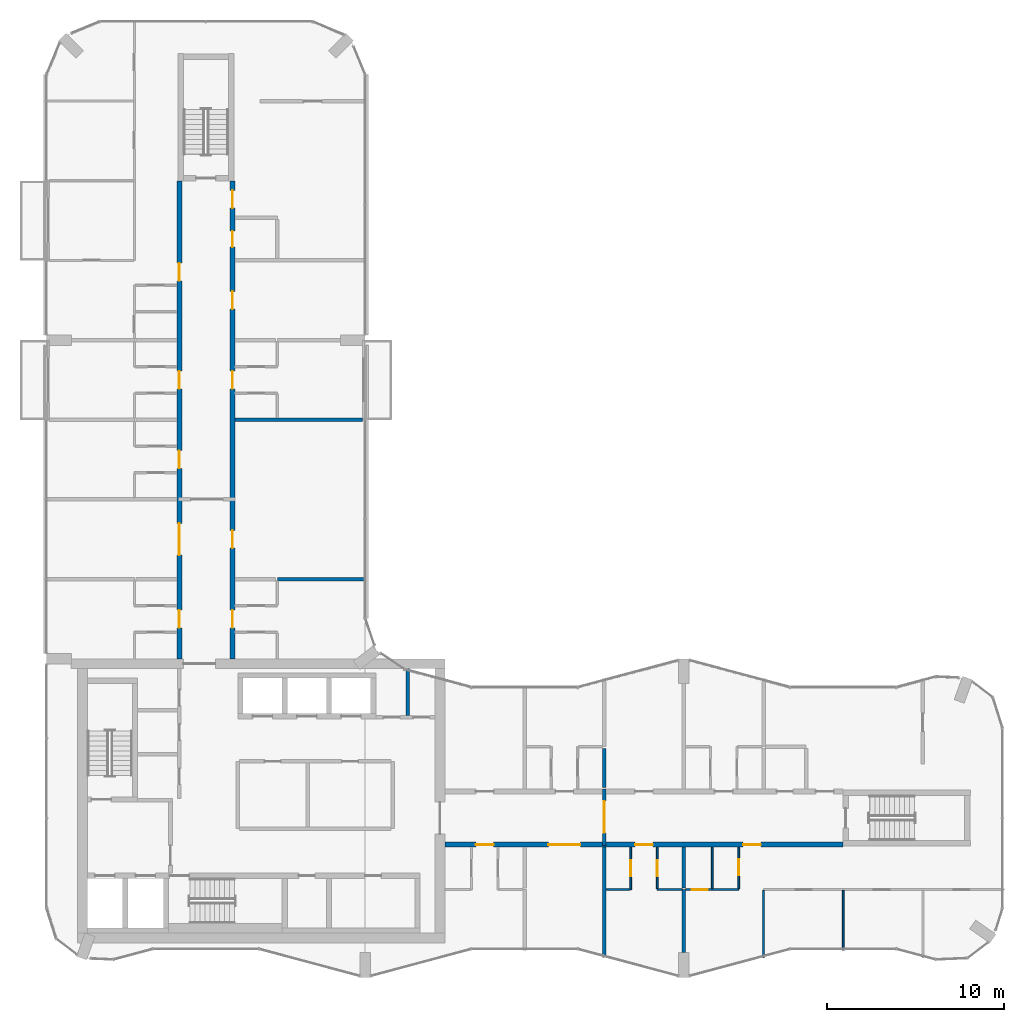
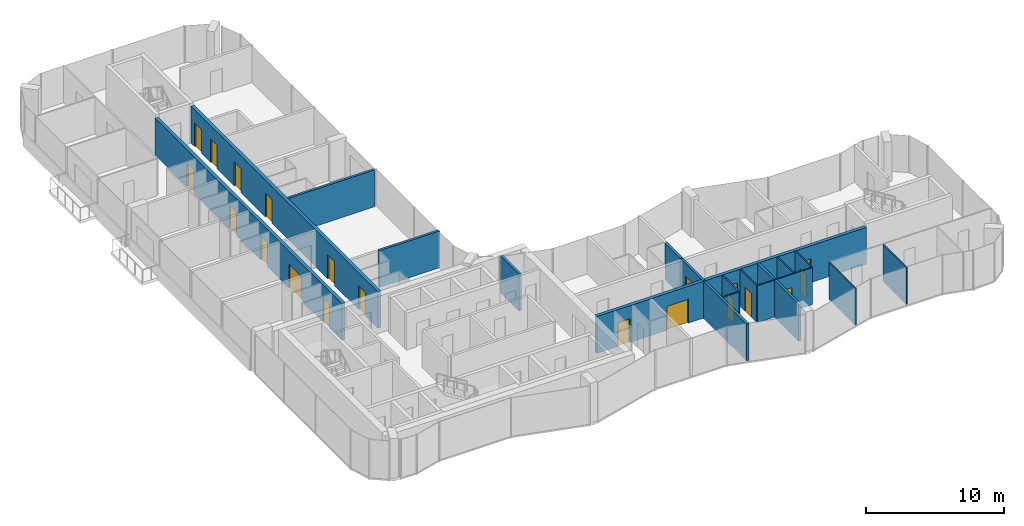
# One storey, part 11 of 15: 20 doors, 20 walls, 20 openings.
"""IFC4 building model written with IfcOpenShell, lengths in metres."""

import ifcopenshell
import ifcopenshell.guid

model = None  # the IFC model being written
_history = None  # IfcOwnerHistory: only IFC2X3 demands one
_inside = {}  # id of a spatial element -> (the spatial element, [elements in it])
_under = {}  # id of a project, library or spatial element -> (it, [spatial elements below it])
_declared = {}  # id of a project -> (the project, [libraries it declares])
_typed = {}  # id of a type object -> (the type object, [elements of that type])
_made_of = {}  # id of a material, layer set ... -> (it, [elements and type objects made of it])


def new_model(schema):
    """Start an empty IFC model of exactly this schema.

    Asked for "IFC4X3", IfcOpenShell would pick the latest addendum, in which some entities
    have other attributes; the version numbers below select the first issue.
    IFC2X3 requires an IfcOwnerHistory on every rooted entity: one is made here for all.
    """
    global model, _history
    if schema == "IFC4X3":
        model = ifcopenshell.file(schema_version=(4, 3, 0, 0))
    else:
        model = ifcopenshell.file(schema=schema)
    _inside.clear()
    _under.clear()
    _declared.clear()
    _typed.clear()
    _made_of.clear()
    _history = None
    if model.schema == "IFC2X3":
        org = make("IfcOrganization", Name="unknown")
        user = make(
            "IfcPersonAndOrganization",
            ThePerson=make("IfcPerson", FamilyName="unknown"),
            TheOrganization=org,
        )
        app = make(
            "IfcApplication",
            ApplicationDeveloper=org,
            Version="unknown",
            ApplicationFullName="unknown",
            ApplicationIdentifier="unknown",
        )
        _history = make(
            "IfcOwnerHistory",
            OwningUser=user,
            OwningApplication=app,
            ChangeAction="ADDED",
            CreationDate=0,
        )
    return model


def make(cls, **values):
    """One entity of the class cls with the attributes given. An attribute that is None is left unset."""
    return model.create_entity(
        cls, **{name: value for name, value in values.items() if value is not None}
    )


def rooted(cls, **values):
    """An entity with a GlobalId (a new one), such as an element, a storey or a relation."""
    return make(cls, GlobalId=ifcopenshell.guid.new(), OwnerHistory=_history, **values)


def si_unit(unit_type, name, prefix=None):
    """IfcSIUnit, for example si_unit("LENGTHUNIT", "METRE", prefix="MILLI")."""
    return make("IfcSIUnit", UnitType=unit_type, Prefix=prefix, Name=name)


def assignment(units):
    """IfcUnitAssignment: the units of a project."""
    return None if units is None else make("IfcUnitAssignment", Units=units)


def point(xyz):
    """IfcCartesianPoint."""
    return None if xyz is None else make("IfcCartesianPoint", Coordinates=xyz)


def direction(xyz):
    """IfcDirection."""
    return None if xyz is None else make("IfcDirection", DirectionRatios=xyz)


def frame(location, z_axis=None, x_axis=None):
    """IfcAxis2Placement3D, a coordinate frame: its origin and axes. An axis left out is left unset."""
    return make(
        "IfcAxis2Placement3D",
        Location=point(location),
        Axis=direction(z_axis),
        RefDirection=direction(x_axis),
    )


def frame_2d(location, x_axis=None):
    """IfcAxis2Placement2D, a coordinate frame in the plane: its origin and x axis."""
    return make(
        "IfcAxis2Placement2D", Location=point(location), RefDirection=direction(x_axis)
    )


def origin():
    """The frame at (0, 0, 0) with its axes left unset."""
    return frame((0.0, 0.0, 0.0))


def place(relative_to, where):
    """IfcLocalPlacement: puts the frame where relative to a parent placement (None: the world)."""
    return make(
        "IfcLocalPlacement", PlacementRelTo=relative_to, RelativePlacement=where
    )


def context(
    kind, dimensions, precision=None, world=None, true_north=None, identifier=None
):
    """IfcGeometricRepresentationContext, for example the 3D "Model" context."""
    return make(
        "IfcGeometricRepresentationContext",
        ContextIdentifier=identifier,
        ContextType=kind,
        CoordinateSpaceDimension=dimensions,
        Precision=precision,
        WorldCoordinateSystem=world,
        TrueNorth=true_north,
    )


def subcontext(parent, identifier, kind, view, scale=None):
    """IfcGeometricRepresentationSubContext, for example "Body" below "Model"."""
    return make(
        "IfcGeometricRepresentationSubContext",
        ContextIdentifier=identifier,
        ContextType=kind,
        ParentContext=parent,
        TargetScale=scale,
        TargetView=view,
    )


def project(units=None, contexts=None):
    """IfcProject with its units and contexts."""
    return rooted(
        "IfcProject",
        Name="project",
        RepresentationContexts=contexts,
        UnitsInContext=assignment(units),
    )


def spatial(cls, under=None, at=None, **own):
    """A site, building, storey or space (cls), placed at a placement, below another one or the project."""
    s = rooted(cls, ObjectPlacement=at, **own)
    if under is not None:
        _under.setdefault(under.id(), (under, []))[1].append(s)
    return s


def profile(cls, at=None, kind="AREA", **sizes):
    """A parametric profile (cls). Its sizes go by their IFC names, for example OverallWidth=200.0."""
    return make(cls, ProfileType=kind, Position=at, **sizes)


def rectangle(**sizes):
    """IfcRectangleProfileDef."""
    return profile("IfcRectangleProfileDef", **sizes)


def extrude(swept, where, along, depth):
    """IfcExtrudedAreaSolid: the profile swept, set in the frame where, extruded along a direction by depth."""
    return make(
        "IfcExtrudedAreaSolid",
        SweptArea=swept,
        Position=where,
        ExtrudedDirection=direction(along),
        Depth=depth,
    )


def shape(context_of_items, identifier, shape_type, items):
    """IfcShapeRepresentation: the items that make up one representation, for example the "Body"."""
    return make(
        "IfcShapeRepresentation",
        ContextOfItems=context_of_items,
        RepresentationIdentifier=identifier,
        RepresentationType=shape_type,
        Items=items,
    )


def material(Name=None, Category=None):
    """IfcMaterial."""
    return make("IfcMaterial", Name=Name, Category=Category)


def layer(
    of_material, thickness, ventilated=None, Name=None, Category=None, Priority=None
):
    """IfcMaterialLayer: one layer of a wall or slab, of a material (None: an air gap)."""
    return make(
        "IfcMaterialLayer",
        Material=of_material,
        LayerThickness=thickness,
        IsVentilated=ventilated,
        Name=Name,
        Category=Category,
        Priority=Priority,
    )


def layer_set(layers, Name=None):
    """IfcMaterialLayerSet."""
    return make("IfcMaterialLayerSet", MaterialLayers=layers, LayerSetName=Name)


def made_of(thing, what):
    """Note that an element or type object is made of a material, layer set ...; save() writes the relation."""
    if what is not None:
        _made_of.setdefault(what.id(), (what, []))[1].append(thing)
    return thing


def type_object(cls, material=None, **own):
    """A type object (cls), such as IfcWallType, which elements share."""
    return made_of(rooted(cls, **own), material)


def element(
    cls,
    number,
    at=None,
    inside=None,
    cuts=None,
    type_object=None,
    material=None,
    context=None,
    identifier="Body",
    shape_type=None,
    held_by="IfcProductDefinitionShape",
    body=None,
    shapes=None,
    **own,
):
    """One element of the class cls, such as IfcWall. Its Tag is "e" and its number.

    at: its placement. inside: the storey or other place that contains it. cuts: it is an
    opening in that element (IfcRelVoidsElement). A single representation is given by context,
    identifier, shape_type and body (its items); several are given by shapes. held_by: the class
    of the entity that holds the representations. save() writes the other relations.
    """
    e = rooted(cls, Tag="e%d" % number, ObjectPlacement=at, **own)
    if body is not None:
        shapes = [shape(context, identifier, shape_type, body)]
    if shapes is not None:
        e.Representation = make(held_by, Representations=shapes)
    if inside is not None:
        _inside.setdefault(inside.id(), (inside, []))[1].append(e)
    if cuts is not None:
        rooted(
            "IfcRelVoidsElement", RelatingBuildingElement=cuts, RelatedOpeningElement=e
        )
    if type_object is not None:
        _typed.setdefault(type_object.id(), (type_object, []))[1].append(e)
    return made_of(e, material)


def fill(opening, filler):
    """IfcRelFillsElement: the door or window that sits in an opening."""
    return rooted(
        "IfcRelFillsElement",
        RelatingOpeningElement=opening,
        RelatedBuildingElement=filler,
    )


def aggregate(whole, parts):
    """IfcRelAggregates: a whole, such as a stair, and the parts it consists of."""
    return rooted("IfcRelAggregates", RelatingObject=whole, RelatedObjects=parts)


def save(model, path):
    """Write the relations noted so far, then the file.

    IfcRelAggregates (storeys below a building ...), IfcRelContainedInSpatialStructure (elements
    in a storey), IfcRelDefinesByType, IfcRelAssociatesMaterial and IfcRelDeclares: one each for
    every whole, place, type object, material and project.
    """
    for whole, parts in _under.values():
        aggregate(whole, parts)
    for where, things in _inside.values():
        rooted(
            "IfcRelContainedInSpatialStructure",
            RelatedElements=things,
            RelatingStructure=where,
        )
    for kind, things in _typed.values():
        rooted("IfcRelDefinesByType", RelatedObjects=things, RelatingType=kind)
    for what, things in _made_of.values():
        rooted("IfcRelAssociatesMaterial", RelatedObjects=things, RelatingMaterial=what)
    for by, libraries in _declared.values():
        rooted("IfcRelDeclares", RelatingContext=by, RelatedDefinitions=libraries)
    model.write(path)


model = new_model("IFC4")

# Units and contexts
model_context = context("Model", 3, precision=1e-05, world=origin(), true_north=direction((0.0, 1.0)))
body_context = subcontext(model_context, "Body", "Model", "MODEL_VIEW")
ifc_project = project(units=[si_unit("LENGTHUNIT", "METRE"), si_unit("AREAUNIT", "SQUARE_METRE"), si_unit("VOLUMEUNIT", "CUBIC_METRE"), si_unit("PLANEANGLEUNIT", "RADIAN"), si_unit("MASSUNIT", "GRAM", prefix="KILO")], contexts=[model_context])

# Site, building, storey
site_placement = place(None, origin())
site = spatial("IfcSite", under=ifc_project, at=site_placement, CompositionType="ELEMENT")
building_placement = place(site_placement, origin())
building = spatial("IfcBuilding", under=site, at=building_placement, Name="Plateau Cross Towers", CompositionType="ELEMENT")
storey_placement = place(building_placement, frame((0.0, 0.0, 197.89990234375)))
storey = spatial("IfcBuildingStorey", under=building, at=storey_placement, Name="L51", CompositionType="ELEMENT", Elevation=197.89990234375)

# Wall
ifc_material_1 = material(Name="Concrete block, plastered both sides", Category="concrete")
ifc_layer_1 = layer(ifc_material_1, 0.199951171875)
ifc_layer_set_1 = layer_set([ifc_layer_1], Name="Concrete block, plastered both sides")
wall_type_1 = type_object("IfcWallType", Name="Core partition 200", PredefinedType="PARTITIONING", material=ifc_layer_set_1)
wall_1_placement = place(storey_placement, frame((20.39990234375, 14.800048828125, 0.0), z_axis=(0.0, 0.0, 1.0), x_axis=(0.0, 1.0, 0.0)))
element("IfcWall", 1, at=wall_1_placement, inside=storey, type_object=wall_type_1, Name="Core partition", PredefinedType="PARTITIONING", context=body_context, shape_type="SweptSolid", body=[
    extrude(rectangle(XDim=2.64990234375, YDim=0.199951171875, at=frame_2d((1.324951171875, 0.0))), origin(), (0.0, 0.0, 1.0), 3.25),
])

# Wall, openings, doors
ifc_material_2 = material(Name="Concrete C60/75", Category="concrete")
ifc_layer_2 = layer(ifc_material_2, 0.27490234375)
ifc_layer_set_2 = layer_set([ifc_layer_2], Name="Concrete C60/75")
wall_type_2 = type_object("IfcWallType", Name="Corridor wall 275", PredefinedType="SHEAR", material=ifc_layer_set_2)
wall_2_placement = place(storey_placement, frame((22.5, 7.5, 0.0), z_axis=(0.0, 0.0, 1.0), x_axis=(1.0, 0.0, 0.0)))
wall_2 = element("IfcWall", 2, at=wall_2_placement, inside=storey, type_object=wall_type_2, Name="A-cw-S1@L51", PredefinedType="SHEAR", context=body_context, shape_type="SweptSolid", body=[
    extrude(rectangle(XDim=22.5, YDim=0.27490234375, at=frame_2d((11.25, 0.0))), origin(), (0.0, 0.0, 1.0), 3.25),
])
opening_1_placement = place(wall_2_placement, frame((1.75, 0.0, 0.0)))
opening_1 = element("IfcOpeningElement", 3, at=opening_1_placement, cuts=wall_2, Name="Opening 51-01", PredefinedType="OPENING", context=body_context, shape_type="SweptSolid", body=[
    extrude(rectangle(XDim=1.0, YDim=2.10009765625, at=frame_2d((0.5, 1.050048828125))), frame((0.0, 0.1474609375, 0.0), z_axis=(0.0, -1.0, 0.0), x_axis=(1.0, 0.0, 0.0)), (0.0, 0.0, 1.0), 0.294921875),
])
opening_2_placement = place(wall_2_placement, frame((5.85009765625, 0.0, 0.0)))
opening_2 = element("IfcOpeningElement", 4, at=opening_2_placement, cuts=wall_2, Name="Opening 51-02", PredefinedType="OPENING", context=body_context, shape_type="SweptSolid", body=[
    extrude(rectangle(XDim=1.800048828125, YDim=2.10009765625, at=frame_2d((0.89990234375, 1.050048828125))), frame((0.0, 0.1474609375, 0.0), z_axis=(0.0, -1.0, 0.0), x_axis=(1.0, 0.0, 0.0)), (0.0, 0.0, 1.0), 0.294921875),
])
opening_3_placement = place(wall_2_placement, frame((10.75, 0.0, 0.0)))
opening_3 = element("IfcOpeningElement", 5, at=opening_3_placement, cuts=wall_2, Name="Opening 51-03", PredefinedType="OPENING", context=body_context, shape_type="SweptSolid", body=[
    extrude(rectangle(XDim=1.0, YDim=2.10009765625, at=frame_2d((0.5, 1.050048828125))), frame((0.0, 0.1474609375, 0.0), z_axis=(0.0, -1.0, 0.0), x_axis=(1.0, 0.0, 0.0)), (0.0, 0.0, 1.0), 0.294921875),
])
opening_4_placement = place(wall_2_placement, frame((16.85009765625, 0.0, 0.0)))
opening_4 = element("IfcOpeningElement", 6, at=opening_4_placement, cuts=wall_2, Name="Opening 51-04", PredefinedType="OPENING", context=body_context, shape_type="SweptSolid", body=[
    extrude(rectangle(XDim=1.0, YDim=2.10009765625, at=frame_2d((0.5, 1.050048828125))), frame((0.0, 0.1474609375, 0.0), z_axis=(0.0, -1.0, 0.0), x_axis=(1.0, 0.0, 0.0)), (0.0, 0.0, 1.0), 0.294921875),
])
ifc_material_3 = material(Name="Timber, fire-resisting leaf", Category="wood")
door_type_1 = type_object("IfcDoorType", Name="Flat entrance door 1000", OperationType="NOTDEFINED", PredefinedType="DOOR", material=ifc_material_3)
door_1_placement = place(opening_1_placement, origin())
door_1 = element("IfcDoor", 7, at=door_1_placement, inside=storey, type_object=door_type_1, Name="Door 51-01", OperationType="SINGLE_SWING_LEFT", OverallHeight=2.10009765625, OverallWidth=1.0, PredefinedType="DOOR", context=body_context, shape_type="SweptSolid", body=[
    extrude(rectangle(XDim=1.0, YDim=2.10009765625, at=frame_2d((0.5, 1.050048828125))), frame((0.0, 0.02490234375, 0.0), z_axis=(0.0, -1.0, 0.0), x_axis=(1.0, 0.0, 0.0)), (0.0, 0.0, 1.0), 0.050048828125),
])
fill(opening_1, door_1)
door_2_placement = place(opening_3_placement, origin())
door_2 = element("IfcDoor", 8, at=door_2_placement, inside=storey, type_object=door_type_1, Name="Door 51-03", OperationType="SINGLE_SWING_LEFT", OverallHeight=2.10009765625, OverallWidth=1.0, PredefinedType="DOOR", context=body_context, shape_type="SweptSolid", body=[
    extrude(rectangle(XDim=1.0, YDim=2.10009765625, at=frame_2d((0.5, 1.050048828125))), frame((0.0, 0.02490234375, 0.0), z_axis=(0.0, -1.0, 0.0), x_axis=(1.0, 0.0, 0.0)), (0.0, 0.0, 1.0), 0.050048828125),
])
fill(opening_3, door_2)
door_3_placement = place(opening_4_placement, origin())
door_3 = element("IfcDoor", 9, at=door_3_placement, inside=storey, type_object=door_type_1, Name="Door 51-04", OperationType="SINGLE_SWING_RIGHT", OverallHeight=2.10009765625, OverallWidth=1.0, PredefinedType="DOOR", context=body_context, shape_type="SweptSolid", body=[
    extrude(rectangle(XDim=1.0, YDim=2.10009765625, at=frame_2d((0.5, 1.050048828125))), frame((0.0, 0.02490234375, 0.0), z_axis=(0.0, -1.0, 0.0), x_axis=(1.0, 0.0, 0.0)), (0.0, 0.0, 1.0), 0.050048828125),
])
fill(opening_4, door_3)
ifc_material_4 = material(Name="Timber, fire-resisting leaves", Category="wood")
door_type_2 = type_object("IfcDoorType", Name="Flat floor fire door pair 1800", OperationType="NOTDEFINED", PredefinedType="DOOR", material=ifc_material_4)
door_4_placement = place(opening_2_placement, origin())
door_4 = element("IfcDoor", 10, at=door_4_placement, inside=storey, type_object=door_type_2, Name="Door 51-02", OperationType="SINGLE_SWING_LEFT", OverallHeight=2.10009765625, OverallWidth=1.800048828125, PredefinedType="DOOR", context=body_context, shape_type="SweptSolid", body=[
    extrude(rectangle(XDim=1.800048828125, YDim=2.10009765625, at=frame_2d((0.89990234375, 1.050048828125))), frame((0.0, 0.02490234375, 0.0), z_axis=(0.0, -1.0, 0.0), x_axis=(1.0, 0.0, 0.0)), (0.0, 0.0, 1.0), 0.050048828125),
])
fill(opening_2, door_4)

wall_3_placement = place(storey_placement, frame((7.5, 18.0, 0.0), z_axis=(0.0, 0.0, 1.0), x_axis=(0.0, 1.0, 0.0)))
wall_3 = element("IfcWall", 11, at=wall_3_placement, inside=storey, type_object=wall_type_2, Name="A-cw-W1@L51", PredefinedType="SHEAR", context=body_context, shape_type="SweptSolid", body=[
    extrude(rectangle(XDim=27.0, YDim=0.27490234375, at=frame_2d((13.5, 0.0))), origin(), (0.0, 0.0, 1.0), 3.25),
])
opening_5_placement = place(wall_3_placement, frame((1.75, 0.0, 0.0)))
opening_5 = element("IfcOpeningElement", 12, at=opening_5_placement, cuts=wall_3, Name="Opening 51-11", PredefinedType="OPENING", context=body_context, shape_type="SweptSolid", body=[
    extrude(rectangle(XDim=1.0, YDim=2.10009765625, at=frame_2d((0.5, 1.050048828125))), frame((0.0, 0.1474609375, 0.0), z_axis=(0.0, -1.0, 0.0), x_axis=(1.0, 0.0, 0.0)), (0.0, 0.0, 1.0), 0.294921875),
])
opening_6_placement = place(wall_3_placement, frame((5.85009765625, 0.0, 0.0)))
opening_6 = element("IfcOpeningElement", 13, at=opening_6_placement, cuts=wall_3, Name="Opening 51-12", PredefinedType="OPENING", context=body_context, shape_type="SweptSolid", body=[
    extrude(rectangle(XDim=1.800048828125, YDim=2.10009765625, at=frame_2d((0.89990234375, 1.050048828125))), frame((0.0, 0.1474609375, 0.0), z_axis=(0.0, -1.0, 0.0), x_axis=(1.0, 0.0, 0.0)), (0.0, 0.0, 1.0), 0.294921875),
])
opening_7_placement = place(wall_3_placement, frame((10.75, 0.0, 0.0)))
opening_7 = element("IfcOpeningElement", 14, at=opening_7_placement, cuts=wall_3, Name="Opening 51-13", PredefinedType="OPENING", context=body_context, shape_type="SweptSolid", body=[
    extrude(rectangle(XDim=1.0, YDim=2.10009765625, at=frame_2d((0.5, 1.050048828125))), frame((0.0, 0.1474609375, 0.0), z_axis=(0.0, -1.0, 0.0), x_axis=(1.0, 0.0, 0.0)), (0.0, 0.0, 1.0), 0.294921875),
])
opening_8_placement = place(wall_3_placement, frame((15.25, 0.0, 0.0)))
opening_8 = element("IfcOpeningElement", 15, at=opening_8_placement, cuts=wall_3, Name="Opening 51-14", PredefinedType="OPENING", context=body_context, shape_type="SweptSolid", body=[
    extrude(rectangle(XDim=1.0, YDim=2.10009765625, at=frame_2d((0.5, 1.050048828125))), frame((0.0, 0.1474609375, 0.0), z_axis=(0.0, -1.0, 0.0), x_axis=(1.0, 0.0, 0.0)), (0.0, 0.0, 1.0), 0.294921875),
])
opening_9_placement = place(wall_3_placement, frame((21.35009765625, 0.0, 0.0)))
opening_9 = element("IfcOpeningElement", 16, at=opening_9_placement, cuts=wall_3, Name="Opening 51-15", PredefinedType="OPENING", context=body_context, shape_type="SweptSolid", body=[
    extrude(rectangle(XDim=1.0, YDim=2.10009765625, at=frame_2d((0.5, 1.050048828125))), frame((0.0, 0.1474609375, 0.0), z_axis=(0.0, -1.0, 0.0), x_axis=(1.0, 0.0, 0.0)), (0.0, 0.0, 1.0), 0.294921875),
])
door_5_placement = place(opening_5_placement, origin())
door_5 = element("IfcDoor", 17, at=door_5_placement, inside=storey, type_object=door_type_1, Name="Door 51-11", OperationType="SINGLE_SWING_LEFT", OverallHeight=2.10009765625, OverallWidth=1.0, PredefinedType="DOOR", context=body_context, shape_type="SweptSolid", body=[
    extrude(rectangle(XDim=1.0, YDim=2.10009765625, at=frame_2d((0.5, 1.050048828125))), frame((0.0, 0.02490234375, 0.0), z_axis=(0.0, -1.0, 0.0), x_axis=(1.0, 0.0, 0.0)), (0.0, 0.0, 1.0), 0.050048828125),
])
fill(opening_5, door_5)
door_6_placement = place(opening_7_placement, origin())
door_6 = element("IfcDoor", 18, at=door_6_placement, inside=storey, type_object=door_type_1, Name="Door 51-13", OperationType="SINGLE_SWING_LEFT", OverallHeight=2.10009765625, OverallWidth=1.0, PredefinedType="DOOR", context=body_context, shape_type="SweptSolid", body=[
    extrude(rectangle(XDim=1.0, YDim=2.10009765625, at=frame_2d((0.5, 1.050048828125))), frame((0.0, 0.02490234375, 0.0), z_axis=(0.0, -1.0, 0.0), x_axis=(1.0, 0.0, 0.0)), (0.0, 0.0, 1.0), 0.050048828125),
])
fill(opening_7, door_6)
door_7_placement = place(opening_8_placement, origin())
door_7 = element("IfcDoor", 19, at=door_7_placement, inside=storey, type_object=door_type_1, Name="Door 51-14", OperationType="SINGLE_SWING_RIGHT", OverallHeight=2.10009765625, OverallWidth=1.0, PredefinedType="DOOR", context=body_context, shape_type="SweptSolid", body=[
    extrude(rectangle(XDim=1.0, YDim=2.10009765625, at=frame_2d((0.5, 1.050048828125))), frame((0.0, 0.02490234375, 0.0), z_axis=(0.0, -1.0, 0.0), x_axis=(1.0, 0.0, 0.0)), (0.0, 0.0, 1.0), 0.050048828125),
])
fill(opening_8, door_7)
door_8_placement = place(opening_9_placement, origin())
door_8 = element("IfcDoor", 20, at=door_8_placement, inside=storey, type_object=door_type_1, Name="Door 51-15", OperationType="SINGLE_SWING_RIGHT", OverallHeight=2.10009765625, OverallWidth=1.0, PredefinedType="DOOR", context=body_context, shape_type="SweptSolid", body=[
    extrude(rectangle(XDim=1.0, YDim=2.10009765625, at=frame_2d((0.5, 1.050048828125))), frame((0.0, 0.02490234375, 0.0), z_axis=(0.0, -1.0, 0.0), x_axis=(1.0, 0.0, 0.0)), (0.0, 0.0, 1.0), 0.050048828125),
])
fill(opening_9, door_8)
door_9_placement = place(opening_6_placement, origin())
door_9 = element("IfcDoor", 21, at=door_9_placement, inside=storey, type_object=door_type_2, Name="Door 51-12", OperationType="SINGLE_SWING_LEFT", OverallHeight=2.10009765625, OverallWidth=1.800048828125, PredefinedType="DOOR", context=body_context, shape_type="SweptSolid", body=[
    extrude(rectangle(XDim=1.800048828125, YDim=2.10009765625, at=frame_2d((0.89990234375, 1.050048828125))), frame((0.0, 0.02490234375, 0.0), z_axis=(0.0, -1.0, 0.0), x_axis=(1.0, 0.0, 0.0)), (0.0, 0.0, 1.0), 0.050048828125),
])
fill(opening_6, door_9)

wall_4_placement = place(storey_placement, frame((10.5, 18.0, 0.0), z_axis=(0.0, 0.0, 1.0), x_axis=(0.0, 1.0, 0.0)))
wall_4 = element("IfcWall", 22, at=wall_4_placement, inside=storey, type_object=wall_type_2, Name="A-cw-W2@L51", PredefinedType="SHEAR", context=body_context, shape_type="SweptSolid", body=[
    extrude(rectangle(XDim=27.0, YDim=0.27490234375, at=frame_2d((13.5, 0.0))), origin(), (0.0, 0.0, 1.0), 3.25),
])
opening_10_placement = place(wall_4_placement, frame((1.75, 0.0, 0.0)))
opening_10 = element("IfcOpeningElement", 23, at=opening_10_placement, cuts=wall_4, Name="Opening 51-16", PredefinedType="OPENING", context=body_context, shape_type="SweptSolid", body=[
    extrude(rectangle(XDim=1.0, YDim=2.10009765625, at=frame_2d((0.5, 1.050048828125))), frame((0.0, 0.1474609375, 0.0), z_axis=(0.0, -1.0, 0.0), x_axis=(1.0, 0.0, 0.0)), (0.0, 0.0, 1.0), 0.294921875),
])
opening_11_placement = place(wall_4_placement, frame((6.25, 0.0, 0.0)))
opening_11 = element("IfcOpeningElement", 24, at=opening_11_placement, cuts=wall_4, Name="Opening 51-17", PredefinedType="OPENING", context=body_context, shape_type="SweptSolid", body=[
    extrude(rectangle(XDim=1.0, YDim=2.10009765625, at=frame_2d((0.5, 1.050048828125))), frame((0.0, 0.1474609375, 0.0), z_axis=(0.0, -1.0, 0.0), x_axis=(1.0, 0.0, 0.0)), (0.0, 0.0, 1.0), 0.294921875),
])
opening_12_placement = place(wall_4_placement, frame((15.25, 0.0, 0.0)))
opening_12 = element("IfcOpeningElement", 25, at=opening_12_placement, cuts=wall_4, Name="Opening 51-18", PredefinedType="OPENING", context=body_context, shape_type="SweptSolid", body=[
    extrude(rectangle(XDim=1.0, YDim=2.10009765625, at=frame_2d((0.5, 1.050048828125))), frame((0.0, 0.1474609375, 0.0), z_axis=(0.0, -1.0, 0.0), x_axis=(1.0, 0.0, 0.0)), (0.0, 0.0, 1.0), 0.294921875),
])
opening_13_placement = place(wall_4_placement, frame((19.75, 0.0, 0.0)))
opening_13 = element("IfcOpeningElement", 26, at=opening_13_placement, cuts=wall_4, Name="Opening 51-19", PredefinedType="OPENING", context=body_context, shape_type="SweptSolid", body=[
    extrude(rectangle(XDim=1.0, YDim=2.10009765625, at=frame_2d((0.5, 1.050048828125))), frame((0.0, 0.1474609375, 0.0), z_axis=(0.0, -1.0, 0.0), x_axis=(1.0, 0.0, 0.0)), (0.0, 0.0, 1.0), 0.294921875),
])
opening_14_placement = place(wall_4_placement, frame((23.25, 0.0, 0.0)))
opening_14 = element("IfcOpeningElement", 27, at=opening_14_placement, cuts=wall_4, Name="Opening 51-20", PredefinedType="OPENING", context=body_context, shape_type="SweptSolid", body=[
    extrude(rectangle(XDim=0.89990234375, YDim=2.10009765625, at=frame_2d((0.449951171875, 1.050048828125))), frame((0.0, 0.1474609375, 0.0), z_axis=(0.0, -1.0, 0.0), x_axis=(1.0, 0.0, 0.0)), (0.0, 0.0, 1.0), 0.294921875),
])
opening_15_placement = place(wall_4_placement, frame((25.449951171875, 0.0, 0.0)))
opening_15 = element("IfcOpeningElement", 28, at=opening_15_placement, cuts=wall_4, Name="Opening 51-21", PredefinedType="OPENING", context=body_context, shape_type="SweptSolid", body=[
    extrude(rectangle(XDim=1.0, YDim=2.10009765625, at=frame_2d((0.5, 1.050048828125))), frame((0.0, 0.1474609375, 0.0), z_axis=(0.0, -1.0, 0.0), x_axis=(1.0, 0.0, 0.0)), (0.0, 0.0, 1.0), 0.294921875),
])
door_10_placement = place(opening_10_placement, origin())
door_10 = element("IfcDoor", 29, at=door_10_placement, inside=storey, type_object=door_type_1, Name="Door 51-16", OperationType="SINGLE_SWING_LEFT", OverallHeight=2.10009765625, OverallWidth=1.0, PredefinedType="DOOR", context=body_context, shape_type="SweptSolid", body=[
    extrude(rectangle(XDim=1.0, YDim=2.10009765625, at=frame_2d((0.5, 1.050048828125))), frame((0.0, 0.02490234375, 0.0), z_axis=(0.0, -1.0, 0.0), x_axis=(1.0, 0.0, 0.0)), (0.0, 0.0, 1.0), 0.050048828125),
])
fill(opening_10, door_10)
door_11_placement = place(opening_11_placement, origin())
door_11 = element("IfcDoor", 30, at=door_11_placement, inside=storey, type_object=door_type_1, Name="Door 51-17", OperationType="SINGLE_SWING_LEFT", OverallHeight=2.10009765625, OverallWidth=1.0, PredefinedType="DOOR", context=body_context, shape_type="SweptSolid", body=[
    extrude(rectangle(XDim=1.0, YDim=2.10009765625, at=frame_2d((0.5, 1.050048828125))), frame((0.0, 0.02490234375, 0.0), z_axis=(0.0, -1.0, 0.0), x_axis=(1.0, 0.0, 0.0)), (0.0, 0.0, 1.0), 0.050048828125),
])
fill(opening_11, door_11)
door_12_placement = place(opening_12_placement, origin())
door_12 = element("IfcDoor", 31, at=door_12_placement, inside=storey, type_object=door_type_1, Name="Door 51-18", OperationType="SINGLE_SWING_RIGHT", OverallHeight=2.10009765625, OverallWidth=1.0, PredefinedType="DOOR", context=body_context, shape_type="SweptSolid", body=[
    extrude(rectangle(XDim=1.0, YDim=2.10009765625, at=frame_2d((0.5, 1.050048828125))), frame((0.0, 0.02490234375, 0.0), z_axis=(0.0, -1.0, 0.0), x_axis=(1.0, 0.0, 0.0)), (0.0, 0.0, 1.0), 0.050048828125),
])
fill(opening_12, door_12)
door_13_placement = place(opening_13_placement, origin())
door_13 = element("IfcDoor", 32, at=door_13_placement, inside=storey, type_object=door_type_1, Name="Door 51-19", OperationType="SINGLE_SWING_RIGHT", OverallHeight=2.10009765625, OverallWidth=1.0, PredefinedType="DOOR", context=body_context, shape_type="SweptSolid", body=[
    extrude(rectangle(XDim=1.0, YDim=2.10009765625, at=frame_2d((0.5, 1.050048828125))), frame((0.0, 0.02490234375, 0.0), z_axis=(0.0, -1.0, 0.0), x_axis=(1.0, 0.0, 0.0)), (0.0, 0.0, 1.0), 0.050048828125),
])
fill(opening_13, door_13)
door_14_placement = place(opening_15_placement, origin())
door_14 = element("IfcDoor", 33, at=door_14_placement, inside=storey, type_object=door_type_1, Name="Door 51-21", OperationType="SINGLE_SWING_RIGHT", OverallHeight=2.10009765625, OverallWidth=1.0, PredefinedType="DOOR", context=body_context, shape_type="SweptSolid", body=[
    extrude(rectangle(XDim=1.0, YDim=2.10009765625, at=frame_2d((0.5, 1.050048828125))), frame((0.0, 0.02490234375, 0.0), z_axis=(0.0, -1.0, 0.0), x_axis=(1.0, 0.0, 0.0)), (0.0, 0.0, 1.0), 0.050048828125),
])
fill(opening_15, door_14)
door_type_3 = type_object("IfcDoorType", Name="Flat floor service door 900", OperationType="NOTDEFINED", PredefinedType="DOOR", material=ifc_material_3)
door_15_placement = place(opening_14_placement, origin())
door_15 = element("IfcDoor", 34, at=door_15_placement, inside=storey, type_object=door_type_3, Name="Door 51-20", OperationType="SINGLE_SWING_RIGHT", OverallHeight=2.10009765625, OverallWidth=0.89990234375, PredefinedType="DOOR", context=body_context, shape_type="SweptSolid", body=[
    extrude(rectangle(XDim=0.89990234375, YDim=2.10009765625, at=frame_2d((0.449951171875, 1.050048828125))), frame((0.0, 0.02490234375, 0.0), z_axis=(0.0, -1.0, 0.0), x_axis=(1.0, 0.0, 0.0)), (0.0, 0.0, 1.0), 0.050048828125),
])
fill(opening_14, door_15)

# Walls
ifc_material_5 = material(Name="Gypsum board on steel studs", Category="steel")
ifc_layer_3 = layer(ifc_material_5, 0.10009765625)
ifc_layer_set_3 = layer_set([ifc_layer_3], Name="Gypsum board on steel studs")
wall_type_3 = type_object("IfcWallType", Name="Flat partition 100", PredefinedType="PARTITIONING", material=ifc_layer_set_3)
wall_5_placement = place(storey_placement, frame((31.60009765625, 4.96240234375, 0.0), z_axis=(0.0, 0.0, 1.0), x_axis=(1.0, 0.0, 0.0)))
element("IfcWall", 35, at=wall_5_placement, inside=storey, type_object=wall_type_3, Name="Partition wall", PredefinedType="PARTITIONING", context=body_context, shape_type="SweptSolid", body=[
    extrude(rectangle(XDim=1.349853515625, YDim=0.10009765625, at=frame_2d((0.6748046875, 0.0))), origin(), (0.0, 0.0, 1.0), 3.25),
])
wall_6_placement = place(storey_placement, frame((34.5, 4.96240234375, 0.0), z_axis=(0.0, 0.0, 1.0), x_axis=(1.0, 0.0, 0.0)))
element("IfcWall", 36, at=wall_6_placement, inside=storey, type_object=wall_type_3, Name="Partition wall", PredefinedType="PARTITIONING", context=body_context, shape_type="SweptSolid", body=[
    extrude(rectangle(XDim=1.39990234375, YDim=0.10009765625, at=frame_2d((0.699951171875, 0.0))), origin(), (0.0, 0.0, 1.0), 3.25),
])

# Wall, opening, door
wall_7_placement = place(storey_placement, frame((36.10009765625, 4.96240234375, 0.0), z_axis=(0.0, 0.0, 1.0), x_axis=(1.0, 0.0, 0.0)))
wall_7 = element("IfcWall", 37, at=wall_7_placement, inside=storey, type_object=wall_type_3, Name="Partition wall", PredefinedType="PARTITIONING", context=body_context, shape_type="SweptSolid", body=[
    extrude(rectangle(XDim=3.0, YDim=0.10009765625, at=frame_2d((1.5, 0.0))), origin(), (0.0, 0.0, 1.0), 3.25),
])
opening_16_placement = place(wall_7_placement, frame((0.35009765625, 0.0, 0.0)))
opening_16 = element("IfcOpeningElement", 38, at=opening_16_placement, cuts=wall_7, Name="Opening 51-30", PredefinedType="OPENING", context=body_context, shape_type="SweptSolid", body=[
    extrude(rectangle(XDim=0.89990234375, YDim=2.10009765625, at=frame_2d((0.449951171875, 1.050048828125))), frame((0.0, 0.06005859375, 0.0), z_axis=(0.0, -1.0, 0.0), x_axis=(1.0, 0.0, 0.0)), (0.0, 0.0, 1.0), 0.1201171875),
])
ifc_material_6 = material(Name="Timber leaf", Category="wood")
door_type_4 = type_object("IfcDoorType", Name="Flat room door 900", OperationType="NOTDEFINED", PredefinedType="DOOR", material=ifc_material_6)
door_16_placement = place(opening_16_placement, origin())
door_16 = element("IfcDoor", 39, at=door_16_placement, inside=storey, type_object=door_type_4, Name="Door 51-30", OperationType="SINGLE_SWING_LEFT", OverallHeight=2.10009765625, OverallWidth=0.89990234375, PredefinedType="DOOR", context=body_context, shape_type="SweptSolid", body=[
    extrude(rectangle(XDim=0.89990234375, YDim=2.10009765625, at=frame_2d((0.449951171875, 1.050048828125))), frame((0.0, 0.02490234375, 0.0), z_axis=(0.0, -1.0, 0.0), x_axis=(1.0, 0.0, 0.0)), (0.0, 0.0, 1.0), 0.050048828125),
])
fill(opening_16, door_16)

wall_8_placement = place(storey_placement, frame((33.0, 4.96240234375, 0.0), z_axis=(0.0, 0.0, 1.0), x_axis=(0.0, 1.0, 0.0)))
wall_8 = element("IfcWall", 40, at=wall_8_placement, inside=storey, type_object=wall_type_3, Name="Partition wall", PredefinedType="PARTITIONING", context=body_context, shape_type="SweptSolid", body=[
    extrude(rectangle(XDim=2.400146484375, YDim=0.10009765625, at=frame_2d((1.2001953125, 0.0))), origin(), (0.0, 0.0, 1.0), 3.25),
])
opening_17_placement = place(wall_8_placement, frame((0.75, 0.0, 0.0)))
opening_17 = element("IfcOpeningElement", 41, at=opening_17_placement, cuts=wall_8, Name="Opening 51-28", PredefinedType="OPENING", context=body_context, shape_type="SweptSolid", body=[
    extrude(rectangle(XDim=0.89990234375, YDim=2.10009765625, at=frame_2d((0.449951171875, 1.050048828125))), frame((0.0, 0.06005859375, 0.0), z_axis=(0.0, -1.0, 0.0), x_axis=(1.0, 0.0, 0.0)), (0.0, 0.0, 1.0), 0.1201171875),
])
door_17_placement = place(opening_17_placement, origin())
door_17 = element("IfcDoor", 42, at=door_17_placement, inside=storey, type_object=door_type_4, Name="Door 51-28", OperationType="SINGLE_SWING_RIGHT", OverallHeight=2.10009765625, OverallWidth=0.89990234375, PredefinedType="DOOR", context=body_context, shape_type="SweptSolid", body=[
    extrude(rectangle(XDim=0.89990234375, YDim=2.10009765625, at=frame_2d((0.449951171875, 1.050048828125))), frame((0.0, 0.02490234375, 0.0), z_axis=(0.0, -1.0, 0.0), x_axis=(1.0, 0.0, 0.0)), (0.0, 0.0, 1.0), 0.050048828125),
])
fill(opening_17, door_17)

wall_9_placement = place(storey_placement, frame((34.5, 7.362548828125, 0.0), z_axis=(0.0, 0.0, 1.0), x_axis=(0.0, -1.0, 0.0)))
wall_9 = element("IfcWall", 43, at=wall_9_placement, inside=storey, type_object=wall_type_3, Name="Partition wall", PredefinedType="PARTITIONING", context=body_context, shape_type="SweptSolid", body=[
    extrude(rectangle(XDim=2.35009765625, YDim=0.10009765625, at=frame_2d((1.175048828125, 0.0))), origin(), (0.0, 0.0, 1.0), 3.25),
])
opening_18_placement = place(wall_9_placement, frame((0.75, 0.0, 0.0)))
opening_18 = element("IfcOpeningElement", 44, at=opening_18_placement, cuts=wall_9, Name="Opening 51-29", PredefinedType="OPENING", context=body_context, shape_type="SweptSolid", body=[
    extrude(rectangle(XDim=0.89990234375, YDim=2.10009765625, at=frame_2d((0.449951171875, 1.050048828125))), frame((0.0, 0.06005859375, 0.0), z_axis=(0.0, -1.0, 0.0), x_axis=(1.0, 0.0, 0.0)), (0.0, 0.0, 1.0), 0.1201171875),
])
door_18_placement = place(opening_18_placement, origin())
door_18 = element("IfcDoor", 45, at=door_18_placement, inside=storey, type_object=door_type_4, Name="Door 51-29", OperationType="SINGLE_SWING_RIGHT", OverallHeight=2.10009765625, OverallWidth=0.89990234375, PredefinedType="DOOR", context=body_context, shape_type="SweptSolid", body=[
    extrude(rectangle(XDim=0.89990234375, YDim=2.10009765625, at=frame_2d((0.449951171875, 1.050048828125))), frame((0.0, 0.02490234375, 0.0), z_axis=(0.0, -1.0, 0.0), x_axis=(1.0, 0.0, 0.0)), (0.0, 0.0, 1.0), 0.050048828125),
])
fill(opening_18, door_18)

# Wall
wall_10_placement = place(storey_placement, frame((37.60009765625, 5.012451171875, 0.0), z_axis=(0.0, 0.0, 1.0), x_axis=(0.0, 1.0, 0.0)))
element("IfcWall", 46, at=wall_10_placement, inside=storey, type_object=wall_type_3, Name="Partition wall", PredefinedType="PARTITIONING", context=body_context, shape_type="SweptSolid", body=[
    extrude(rectangle(XDim=2.35009765625, YDim=0.10009765625, at=frame_2d((1.175048828125, 0.0))), origin(), (0.0, 0.0, 1.0), 3.25),
])

# Wall, opening, door
wall_11_placement = place(storey_placement, frame((39.10009765625, 5.012451171875, 0.0), z_axis=(0.0, 0.0, 1.0), x_axis=(0.0, 1.0, 0.0)))
wall_11 = element("IfcWall", 47, at=wall_11_placement, inside=storey, type_object=wall_type_3, Name="Partition wall", PredefinedType="PARTITIONING", context=body_context, shape_type="SweptSolid", body=[
    extrude(rectangle(XDim=2.35009765625, YDim=0.10009765625, at=frame_2d((1.175048828125, 0.0))), origin(), (0.0, 0.0, 1.0), 3.25),
])
opening_19_placement = place(wall_11_placement, frame((0.75, 0.0, 0.0)))
opening_19 = element("IfcOpeningElement", 48, at=opening_19_placement, cuts=wall_11, Name="Opening 51-31", PredefinedType="OPENING", context=body_context, shape_type="SweptSolid", body=[
    extrude(rectangle(XDim=0.89990234375, YDim=2.10009765625, at=frame_2d((0.449951171875, 1.050048828125))), frame((0.0, 0.06005859375, 0.0), z_axis=(0.0, -1.0, 0.0), x_axis=(1.0, 0.0, 0.0)), (0.0, 0.0, 1.0), 0.1201171875),
])
door_19_placement = place(opening_19_placement, origin())
door_19 = element("IfcDoor", 49, at=door_19_placement, inside=storey, type_object=door_type_4, Name="Door 51-31", OperationType="SINGLE_SWING_RIGHT", OverallHeight=2.10009765625, OverallWidth=0.89990234375, PredefinedType="DOOR", context=body_context, shape_type="SweptSolid", body=[
    extrude(rectangle(XDim=0.89990234375, YDim=2.10009765625, at=frame_2d((0.449951171875, 1.050048828125))), frame((0.0, 0.02490234375, 0.0), z_axis=(0.0, -1.0, 0.0), x_axis=(1.0, 0.0, 0.0)), (0.0, 0.0, 1.0), 0.050048828125),
])
fill(opening_19, door_19)

# Walls
wall_12_placement = place(storey_placement, frame((40.5, 4.91259765625, 0.0), z_axis=(0.0, 0.0, 1.0), x_axis=(0.0, -1.0, 0.0)))
element("IfcWall", 50, at=wall_12_placement, inside=storey, type_object=wall_type_3, Name="Partition wall", PredefinedType="PARTITIONING", context=body_context, shape_type="SweptSolid", body=[
    extrude(rectangle(XDim=3.790283203125, YDim=0.10009765625, at=frame_2d((1.89501953125, 0.0))), origin(), (0.0, 0.0, 1.0), 3.25),
])
wall_13_placement = place(storey_placement, frame((45.0, 1.52685546875, 0.0), z_axis=(0.0, 0.0, 1.0), x_axis=(0.0, 1.0, 0.0)))
element("IfcWall", 51, at=wall_13_placement, inside=storey, type_object=wall_type_3, Name="Partition wall", PredefinedType="PARTITIONING", context=body_context, shape_type="SweptSolid", body=[
    extrude(rectangle(XDim=3.3857421875, YDim=0.10009765625, at=frame_2d((1.69287109375, 0.0))), origin(), (0.0, 0.0, 1.0), 3.25),
])
ifc_material_7 = material(Name="Gypsum board on steel studs, two layers each side", Category="steel")
ifc_layer_4 = layer(ifc_material_7, 0.199951171875)
ifc_layer_set_4 = layer_set([ifc_layer_4], Name="Gypsum board on steel studs, two layers each side")
wall_type_4 = type_object("IfcWallType", Name="Flat party wall 200", PredefinedType="PARTITIONING", material=ifc_layer_set_4)
wall_14_placement = place(storey_placement, frame((13.03759765625, 22.5, 0.0), z_axis=(0.0, 0.0, 1.0), x_axis=(1.0, 0.0, 0.0)))
element("IfcWall", 52, at=wall_14_placement, inside=storey, type_object=wall_type_4, Name="Party wall", PredefinedType="PARTITIONING", context=body_context, shape_type="SweptSolid", body=[
    extrude(rectangle(XDim=5.04248046875, YDim=0.199951171875, at=frame_2d((2.521240234375, 0.0))), origin(), (0.0, 0.0, 1.0), 3.25),
])
wall_15_placement = place(storey_placement, frame((17.85009765625, 31.5, 0.0), z_axis=(0.0, 0.0, 1.0), x_axis=(-1.0, 0.0, 0.0)))
element("IfcWall", 53, at=wall_15_placement, inside=storey, type_object=wall_type_4, Name="Party wall", PredefinedType="PARTITIONING", context=body_context, shape_type="SweptSolid", body=[
    extrude(rectangle(XDim=7.212646484375, YDim=0.199951171875, at=frame_2d((3.6064453125, 0.0))), origin(), (0.0, 0.0, 1.0), 3.25),
])
wall_16_placement = place(storey_placement, frame((31.5, 1.122314453125, 0.0), z_axis=(0.0, 0.0, 1.0), x_axis=(0.0, 1.0, 0.0)))
element("IfcWall", 54, at=wall_16_placement, inside=storey, type_object=wall_type_4, Name="Party wall", PredefinedType="PARTITIONING", context=body_context, shape_type="SweptSolid", body=[
    extrude(rectangle(XDim=6.240234375, YDim=0.199951171875, at=frame_2d((3.1201171875, 0.0))), origin(), (0.0, 0.0, 1.0), 3.25),
])
wall_17_placement = place(storey_placement, frame((31.5, 10.737548828125, 0.0), z_axis=(0.0, 0.0, 1.0), x_axis=(0.0, 1.0, 0.0)))
element("IfcWall", 55, at=wall_17_placement, inside=storey, type_object=wall_type_4, Name="Party wall", PredefinedType="PARTITIONING", context=body_context, shape_type="SweptSolid", body=[
    extrude(rectangle(XDim=2.199951171875, YDim=0.199951171875, at=frame_2d((1.10009765625, 0.0))), origin(), (0.0, 0.0, 1.0), 3.25),
])
wall_18_placement = place(storey_placement, frame((36.0, 4.96240234375, 0.0), z_axis=(0.0, 0.0, 1.0), x_axis=(0.0, -1.0, 0.0)))
element("IfcWall", 56, at=wall_18_placement, inside=storey, type_object=wall_type_4, Name="Party wall", PredefinedType="PARTITIONING", context=body_context, shape_type="SweptSolid", body=[
    extrude(rectangle(XDim=3.5625, YDim=0.199951171875, at=frame_2d((1.78125, 0.0))), origin(), (0.0, 0.0, 1.0), 3.25),
])
wall_19_placement = place(storey_placement, frame((36.0, 5.0625, 0.0), z_axis=(0.0, 0.0, 1.0), x_axis=(0.0, 1.0, 0.0)))
element("IfcWall", 57, at=wall_19_placement, inside=storey, type_object=wall_type_4, Name="Party wall", PredefinedType="PARTITIONING", context=body_context, shape_type="SweptSolid", body=[
    extrude(rectangle(XDim=2.300048828125, YDim=0.199951171875, at=frame_2d((1.14990234375, 0.0))), origin(), (0.0, 0.0, 1.0), 3.25),
])

# Wall, opening, door
wall_20_placement = place(storey_placement, frame((31.5, 7.46240234375, 0.0), z_axis=(0.0, 0.0, 1.0), x_axis=(0.0, 1.0, 0.0)))
wall_20 = element("IfcWall", 58, at=wall_20_placement, inside=storey, type_object=wall_type_4, Name="Party wall", PredefinedType="PARTITIONING", context=body_context, shape_type="SweptSolid", body=[
    extrude(rectangle(XDim=3.175048828125, YDim=0.199951171875, at=frame_2d((1.58740234375, 0.0))), origin(), (0.0, 0.0, 1.0), 3.25),
])
opening_20_placement = place(wall_20_placement, frame((0.699951171875, 0.0, 0.0)))
opening_20 = element("IfcOpeningElement", 59, at=opening_20_placement, cuts=wall_20, Name="Opening 51-22", PredefinedType="OPENING", context=body_context, shape_type="SweptSolid", body=[
    extrude(rectangle(XDim=1.800048828125, YDim=2.10009765625, at=frame_2d((0.89990234375, 1.050048828125))), frame((0.0, 0.10986328125, 0.0), z_axis=(0.0, -1.0, 0.0), x_axis=(1.0, 0.0, 0.0)), (0.0, 0.0, 1.0), 0.219970703125),
])
door_20_placement = place(opening_20_placement, origin())
door_20 = element("IfcDoor", 60, at=door_20_placement, inside=storey, type_object=door_type_2, Name="Door 51-22", OperationType="SINGLE_SWING_RIGHT", OverallHeight=2.10009765625, OverallWidth=1.800048828125, PredefinedType="DOOR", context=body_context, shape_type="SweptSolid", body=[
    extrude(rectangle(XDim=1.800048828125, YDim=2.10009765625, at=frame_2d((0.89990234375, 1.050048828125))), frame((0.0, 0.02490234375, 0.0), z_axis=(0.0, -1.0, 0.0), x_axis=(1.0, 0.0, 0.0)), (0.0, 0.0, 1.0), 0.050048828125),
])
fill(opening_20, door_20)

save(model, "model.ifc")
